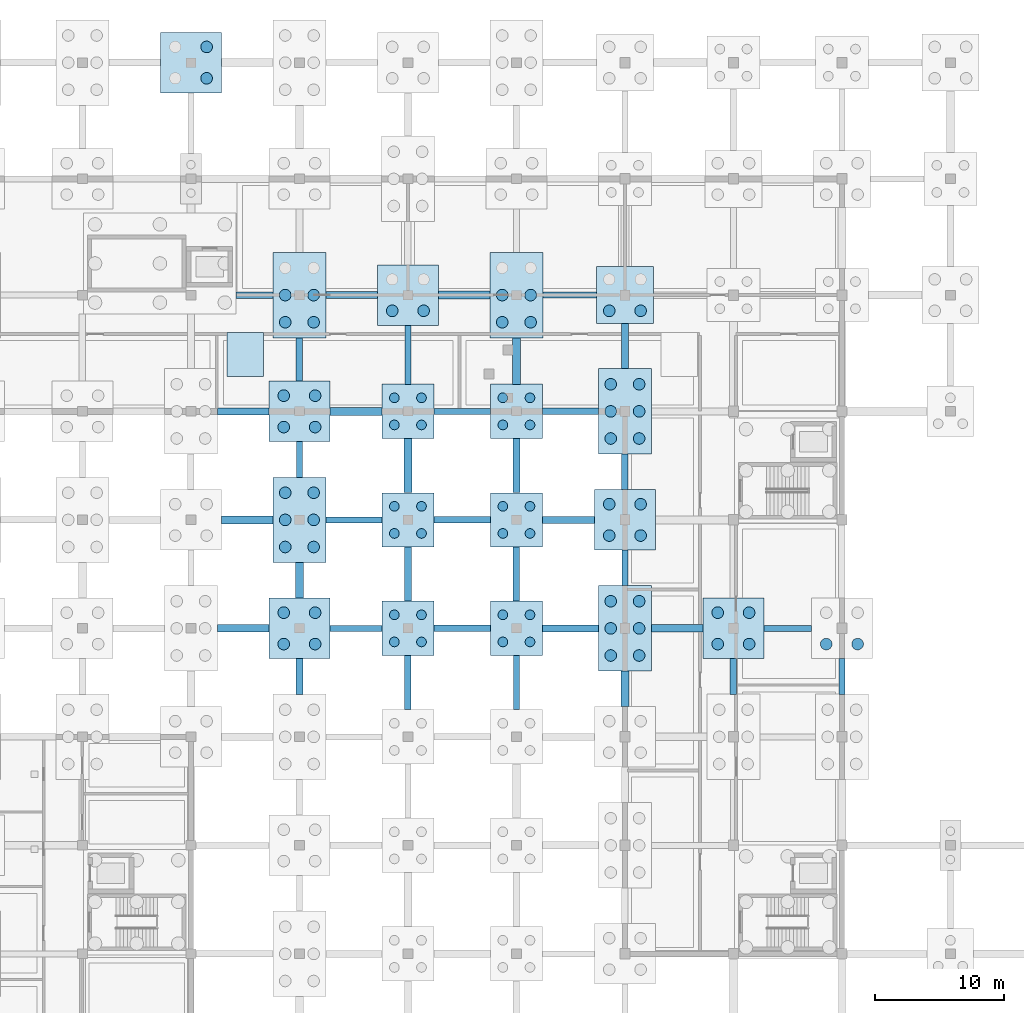
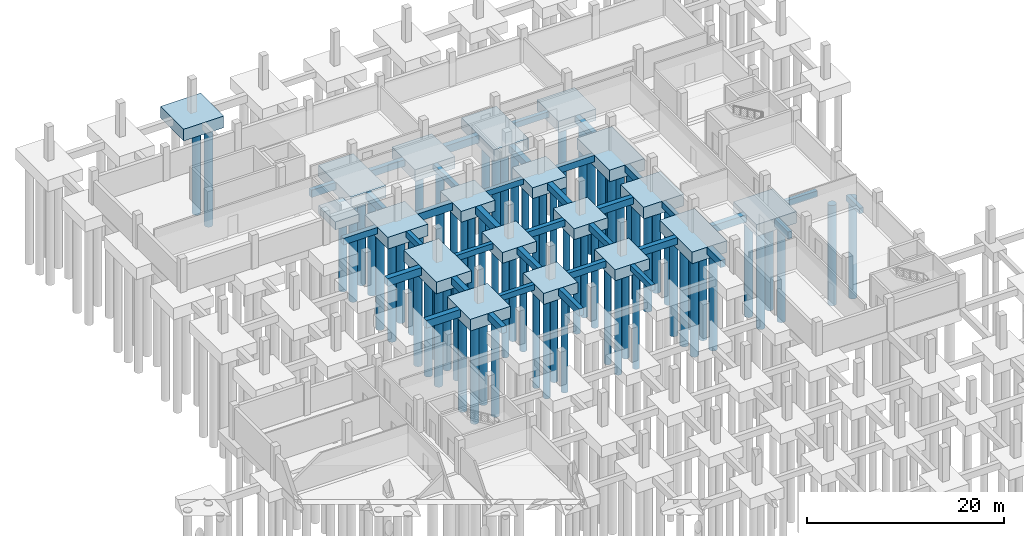
# One storey, part 7 of 20: 74 piles, 55 footings.
"""IFC4 building model written with IfcOpenShell, lengths in metres."""

from ifc_helpers import new_model, si_unit, direction, frame, origin, origin_2d, place, context, subcontext, project, spatial, rectangle, circle, extrude, material, material_profile, profile_set, type_object, element, save


model = new_model("IFC4")

# Units and contexts
model_context = context("Model", 3, precision=1e-05, world=origin(), true_north=direction((0.0, 1.0)))
body_context = subcontext(model_context, "Body", "Model", "MODEL_VIEW")
ifc_project = project(units=[si_unit("LENGTHUNIT", "METRE"), si_unit("AREAUNIT", "SQUARE_METRE"), si_unit("VOLUMEUNIT", "CUBIC_METRE"), si_unit("PLANEANGLEUNIT", "RADIAN"), si_unit("MASSUNIT", "GRAM", prefix="KILO")], contexts=[model_context])

# Site, building, storey
site_placement = place(None, origin())
site = spatial("IfcSite", under=ifc_project, at=site_placement, CompositionType="ELEMENT")
building_placement = place(site_placement, origin())
building = spatial("IfcBuilding", under=site, at=building_placement, Name="Vireocrest Preparatory School", CompositionType="ELEMENT")
storey_placement = place(building_placement, frame((0.0, 0.0, -4.199951171875)))
storey = spatial("IfcBuildingStorey", under=building, at=storey_placement, Name="B01", CompositionType="ELEMENT", Elevation=-4.199951171875)

# Piles
ifc_material = material(Name="Concrete 40 MPa", Category="concrete")
ifc_material_profile_1 = material_profile(ifc_material, circle(Radius=0.375, at=origin_2d()), Name="BORED PILE 750")
ifc_profile_set_1 = profile_set([ifc_material_profile_1], Name="Concrete 40 MPa")
pile_type_1 = type_object("IfcPileType", Name="Bored Concrete Pile 750", PredefinedType="BORED", material=ifc_profile_set_1)
for number, where, z_axis, x_axis, name in (
    (1, (74.550048828125, 67.949951171875, -1.25), (0.0, 0.0, -1.0), (1.0, 0.0, 0.0), "Bored Pile P02 081-1"),
    (2, (76.64990234375, 67.949951171875, -1.25), (0.0, 0.0, -1.0), (1.0, 0.0, 0.0), "Bored Pile P02 081-2"),
    (3, (74.550048828125, 70.050048828125, -1.25), (0.0, 0.0, -1.0), (1.0, 0.0, 0.0), "Bored Pile P02 081-3"),
    (4, (76.64990234375, 70.050048828125, -1.25), (0.0, 0.0, -1.0), (1.0, 0.0, 0.0), "Bored Pile P02 081-4"),
    (5, (74.550048828125, 76.35009765625, -1.25), (0.0, 0.0, -1.0), (1.0, 0.0, 0.0), "Bored Pile P02 082-1"),
    (6, (76.64990234375, 76.35009765625, -1.25), (0.0, 0.0, -1.0), (1.0, 0.0, 0.0), "Bored Pile P02 082-2"),
    (7, (74.550048828125, 78.449951171875, -1.25), (0.0, 0.0, -1.0), (1.0, 0.0, 0.0), "Bored Pile P02 082-3"),
    (8, (76.64990234375, 78.449951171875, -1.25), (0.0, 0.0, -1.0), (1.0, 0.0, 0.0), "Bored Pile P02 082-4"),
    (9, (74.550048828125, 84.75, -1.25), (0.0, 0.0, -1.0), (1.0, 0.0, 0.0), "Bored Pile P02 083-1"),
    (10, (76.64990234375, 84.75, -1.25), (0.0, 0.0, -1.0), (1.0, 0.0, 0.0), "Bored Pile P02 083-2"),
    (11, (74.550048828125, 86.85009765625, -1.25), (0.0, 0.0, -1.0), (1.0, 0.0, 0.0), "Bored Pile P02 083-3"),
    (12, (76.64990234375, 86.85009765625, -1.25), (0.0, 0.0, -1.0), (1.0, 0.0, 0.0), "Bored Pile P02 083-4"),
    (13, (82.949951171875, 67.949951171875, -1.25), (0.0, 0.0, -1.0), (1.0, 0.0, 0.0), "Bored Pile P02 094-1"),
    (14, (85.050048828125, 67.949951171875, -1.25), (0.0, 0.0, -1.0), (1.0, 0.0, 0.0), "Bored Pile P02 094-2"),
    (15, (82.949951171875, 70.050048828125, -1.25), (0.0, 0.0, -1.0), (1.0, 0.0, 0.0), "Bored Pile P02 094-3"),
    (16, (85.050048828125, 70.050048828125, -1.25), (0.0, 0.0, -1.0), (1.0, 0.0, 0.0), "Bored Pile P02 094-4"),
    (17, (82.949951171875, 76.35009765625, -1.25), (0.0, 0.0, -1.0), (1.0, 0.0, 0.0), "Bored Pile P02 095-1"),
    (18, (85.050048828125, 76.35009765625, -1.25), (0.0, 0.0, -1.0), (1.0, 0.0, 0.0), "Bored Pile P02 095-2"),
    (19, (82.949951171875, 78.449951171875, -1.25), (0.0, 0.0, -1.0), (1.0, 0.0, 0.0), "Bored Pile P02 095-3"),
    (20, (85.050048828125, 78.449951171875, -1.25), (0.0, 0.0, -1.0), (1.0, 0.0, 0.0), "Bored Pile P02 095-4"),
    (21, (82.949951171875, 84.75, -1.25), (0.0, 0.0, -1.0), (1.0, 0.0, 0.0), "Bored Pile P02 096-1"),
    (22, (85.050048828125, 84.75, -1.25), (0.0, 0.0, -1.0), (1.0, 0.0, 0.0), "Bored Pile P02 096-2"),
    (23, (82.949951171875, 86.85009765625, -1.25), (0.0, 0.0, -1.0), (1.0, 0.0, 0.0), "Bored Pile P02 096-3"),
    (24, (85.050048828125, 86.85009765625, -1.25), (0.0, 0.0, -1.0), (1.0, 0.0, 0.0), "Bored Pile P02 096-4"),
):
    element("IfcPile", number, at=place(storey_placement, frame(where, z_axis=z_axis, x_axis=x_axis)), inside=storey, type_object=pile_type_1, Name=name, PredefinedType="BORED", context=body_context, shape_type="SweptSolid", body=[
        extrude(circle(Radius=0.375, at=origin_2d()), origin(), (0.0, 0.0, 1.0), 12.550048828125),
    ])
ifc_material_profile_2 = material_profile(ifc_material, circle(Radius=0.449951171875, at=origin_2d()), Name="BORED PILE 900")
ifc_profile_set_2 = profile_set([ifc_material_profile_2], Name="Concrete 40 MPa")
pile_type_2 = type_object("IfcPileType", Name="Bored Concrete Pile 900", PredefinedType="BORED", material=ifc_profile_set_2)
for number, where, z_axis, x_axis, name in (
    (25, (60.014892578125, 111.5849609375, -1.35009765625), (0.0, 0.0, -1.0), (1.0, 0.0, 0.0), "Bored Pile P03 060-2"),
    (26, (60.014892578125, 114.014892578125, -1.35009765625), (0.0, 0.0, -1.0), (1.0, 0.0, 0.0), "Bored Pile P03 060-4"),
    (27, (65.985107421875, 67.784912109375, -1.35009765625), (0.0, 0.0, -1.0), (1.0, 0.0, 0.0), "Bored Pile P03 068-1"),
    (28, (68.4150390625, 67.784912109375, -1.35009765625), (0.0, 0.0, -1.0), (1.0, 0.0, 0.0), "Bored Pile P03 068-2"),
    (29, (65.985107421875, 70.215087890625, -1.35009765625), (0.0, 0.0, -1.0), (1.0, 0.0, 0.0), "Bored Pile P03 068-3"),
    (30, (68.4150390625, 70.215087890625, -1.35009765625), (0.0, 0.0, -1.0), (1.0, 0.0, 0.0), "Bored Pile P03 068-4"),
    (31, (66.10009765625, 75.300048828125, -1.35009765625), (0.0, 0.0, -1.0), (1.0, 0.0, 0.0), "Bored Pile P03 069-1"),
    (32, (68.300048828125, 75.300048828125, -1.35009765625), (0.0, 0.0, -1.0), (1.0, 0.0, 0.0), "Bored Pile P03 069-2"),
    (33, (66.10009765625, 77.39990234375, -1.35009765625), (0.0, 0.0, -1.0), (1.0, 0.0, 0.0), "Bored Pile P03 069-3"),
    (34, (68.300048828125, 77.39990234375, -1.35009765625), (0.0, 0.0, -1.0), (1.0, 0.0, 0.0), "Bored Pile P03 069-4"),
    (35, (66.10009765625, 79.5, -1.35009765625), (0.0, 0.0, -1.0), (1.0, 0.0, 0.0), "Bored Pile P03 069-5"),
    (36, (68.300048828125, 79.5, -1.35009765625), (0.0, 0.0, -1.0), (1.0, 0.0, 0.0), "Bored Pile P03 069-6"),
    (37, (65.985107421875, 84.5849609375, -1.35009765625), (0.0, 0.0, -1.0), (1.0, 0.0, 0.0), "Bored Pile P03 070-1"),
    (38, (68.4150390625, 84.5849609375, -1.35009765625), (0.0, 0.0, -1.0), (1.0, 0.0, 0.0), "Bored Pile P03 070-2"),
    (39, (65.985107421875, 87.014892578125, -1.35009765625), (0.0, 0.0, -1.0), (1.0, 0.0, 0.0), "Bored Pile P03 070-3"),
    (40, (68.4150390625, 87.014892578125, -1.35009765625), (0.0, 0.0, -1.0), (1.0, 0.0, 0.0), "Bored Pile P03 070-4"),
    (41, (66.10009765625, 92.699951171875, -1.35009765625), (0.0, 0.0, -1.0), (1.0, 0.0, 0.0), "Bored Pile P03 071-1"),
    (42, (68.300048828125, 92.699951171875, -1.35009765625), (0.0, 0.0, -1.0), (1.0, 0.0, 0.0), "Bored Pile P03 071-2"),
    (43, (66.10009765625, 94.800048828125, -1.35009765625), (0.0, 0.0, -1.0), (1.0, 0.0, 0.0), "Bored Pile P03 071-3"),
    (44, (68.300048828125, 94.800048828125, -1.35009765625), (0.0, 0.0, -1.0), (1.0, 0.0, 0.0), "Bored Pile P03 071-4"),
    (45, (74.385009765625, 93.5849609375, -1.35009765625), (0.0, 0.0, -1.0), (1.0, 0.0, 0.0), "Bored Pile P03 084-1"),
    (46, (76.81494140625, 93.5849609375, -1.35009765625), (0.0, 0.0, -1.0), (1.0, 0.0, 0.0), "Bored Pile P03 084-2"),
    (47, (82.89990234375, 92.699951171875, -1.35009765625), (0.0, 0.0, -1.0), (1.0, 0.0, 0.0), "Bored Pile P03 097-1"),
    (48, (85.10009765625, 92.699951171875, -1.35009765625), (0.0, 0.0, -1.0), (1.0, 0.0, 0.0), "Bored Pile P03 097-2"),
    (49, (82.89990234375, 94.800048828125, -1.35009765625), (0.0, 0.0, -1.0), (1.0, 0.0, 0.0), "Bored Pile P03 097-3"),
    (50, (85.10009765625, 94.800048828125, -1.35009765625), (0.0, 0.0, -1.0), (1.0, 0.0, 0.0), "Bored Pile P03 097-4"),
    (51, (91.300048828125, 66.89990234375, -1.35009765625), (0.0, 0.0, -1.0), (1.0, 0.0, 0.0), "Bored Pile P03 107-1"),
    (52, (93.5, 66.89990234375, -1.35009765625), (0.0, 0.0, -1.0), (1.0, 0.0, 0.0), "Bored Pile P03 107-2"),
    (53, (91.300048828125, 69.0, -1.35009765625), (0.0, 0.0, -1.0), (1.0, 0.0, 0.0), "Bored Pile P03 107-3"),
    (54, (93.5, 69.0, -1.35009765625), (0.0, 0.0, -1.0), (1.0, 0.0, 0.0), "Bored Pile P03 107-4"),
    (55, (91.300048828125, 71.10009765625, -1.35009765625), (0.0, 0.0, -1.0), (1.0, 0.0, 0.0), "Bored Pile P03 107-5"),
    (56, (93.5, 71.10009765625, -1.35009765625), (0.0, 0.0, -1.0), (1.0, 0.0, 0.0), "Bored Pile P03 107-6"),
    (57, (91.18505859375, 76.18505859375, -1.35009765625), (0.0, 0.0, -1.0), (1.0, 0.0, 0.0), "Bored Pile P03 108-1"),
    (58, (93.614990234375, 76.18505859375, -1.35009765625), (0.0, 0.0, -1.0), (1.0, 0.0, 0.0), "Bored Pile P03 108-2"),
    (59, (91.18505859375, 78.614990234375, -1.35009765625), (0.0, 0.0, -1.0), (1.0, 0.0, 0.0), "Bored Pile P03 108-3"),
    (60, (93.614990234375, 78.614990234375, -1.35009765625), (0.0, 0.0, -1.0), (1.0, 0.0, 0.0), "Bored Pile P03 108-4"),
    (61, (91.300048828125, 83.699951171875, -1.35009765625), (0.0, 0.0, -1.0), (1.0, 0.0, 0.0), "Bored Pile P03 109-1"),
    (62, (93.5, 83.699951171875, -1.35009765625), (0.0, 0.0, -1.0), (1.0, 0.0, 0.0), "Bored Pile P03 109-2"),
    (63, (91.300048828125, 85.800048828125, -1.35009765625), (0.0, 0.0, -1.0), (1.0, 0.0, 0.0), "Bored Pile P03 109-3"),
    (64, (93.5, 85.800048828125, -1.35009765625), (0.0, 0.0, -1.0), (1.0, 0.0, 0.0), "Bored Pile P03 109-4"),
    (65, (91.300048828125, 87.89990234375, -1.35009765625), (0.0, 0.0, -1.0), (1.0, 0.0, 0.0), "Bored Pile P03 109-5"),
    (66, (93.5, 87.89990234375, -1.35009765625), (0.0, 0.0, -1.0), (1.0, 0.0, 0.0), "Bored Pile P03 109-6"),
):
    element("IfcPile", number, at=place(storey_placement, frame(where, z_axis=z_axis, x_axis=x_axis)), inside=storey, type_object=pile_type_2, Name=name, PredefinedType="BORED", context=body_context, shape_type="SweptSolid", body=[
        extrude(circle(Radius=0.449951171875, at=origin_2d()), origin(), (0.0, 0.0, 1.0), 12.449951171875),
    ])
for number, where, z_axis, x_axis, name in (
    (67, (91.18505859375, 93.5849609375, -1.300048828125), (0.0, 0.0, -1.0), (1.0, 0.0, 0.0), "Bored Pile P03 110-1"),
    (68, (93.614990234375, 93.5849609375, -1.300048828125), (0.0, 0.0, -1.0), (1.0, 0.0, 0.0), "Bored Pile P03 110-2"),
):
    element("IfcPile", number, at=place(storey_placement, frame(where, z_axis=z_axis, x_axis=x_axis)), inside=storey, type_object=pile_type_2, Name=name, PredefinedType="BORED", context=body_context, shape_type="SweptSolid", body=[
        extrude(circle(Radius=0.449951171875, at=origin_2d()), origin(), (0.0, 0.0, 1.0), 12.5),
    ])
for number, where, z_axis, x_axis, name in (
    (69, (99.5849609375, 67.784912109375, -1.35009765625), (0.0, 0.0, -1.0), (1.0, 0.0, 0.0), "Bored Pile P03 120-1"),
    (70, (102.014892578125, 67.784912109375, -1.35009765625), (0.0, 0.0, -1.0), (1.0, 0.0, 0.0), "Bored Pile P03 120-2"),
    (71, (99.5849609375, 70.215087890625, -1.35009765625), (0.0, 0.0, -1.0), (1.0, 0.0, 0.0), "Bored Pile P03 120-3"),
    (72, (102.014892578125, 70.215087890625, -1.35009765625), (0.0, 0.0, -1.0), (1.0, 0.0, 0.0), "Bored Pile P03 120-4"),
    (73, (107.985107421875, 67.784912109375, -1.35009765625), (0.0, 0.0, -1.0), (1.0, 0.0, 0.0), "Bored Pile P03 134-1"),
    (74, (110.4150390625, 67.784912109375, -1.35009765625), (0.0, 0.0, -1.0), (1.0, 0.0, 0.0), "Bored Pile P03 134-2"),
):
    element("IfcPile", number, at=place(storey_placement, frame(where, z_axis=z_axis, x_axis=x_axis)), inside=storey, type_object=pile_type_2, Name=name, PredefinedType="BORED", context=body_context, shape_type="SweptSolid", body=[
        extrude(circle(Radius=0.449951171875, at=origin_2d()), origin(), (0.0, 0.0, 1.0), 12.449951171875),
    ])

# Footings
footing_type_1 = type_object("IfcFootingType", Name="Four-Pile Cap 4400x4400x1400", PredefinedType="PILE_CAP", material=ifc_material)
footing_1_placement = place(storey_placement, frame((92.39990234375, 94.800048828125, -1.39990234375), z_axis=(0.0, 0.0, 1.0), x_axis=(1.0, 0.0, 0.0)))
element("IfcFooting", 75, at=footing_1_placement, inside=storey, type_object=footing_type_1, Name="Pile Cap PC07 at (92.4, 94.8)", PredefinedType="PILE_CAP", context=body_context, shape_type="SweptSolid", body=[
    extrude(rectangle(XDim=4.39990234375, YDim=4.39990234375, at=origin_2d()), origin(), (0.0, 0.0, 1.0), 1.39990234375),
])
footing_type_2 = type_object("IfcFootingType", Name="Four-Pile Cap 4700x4700x1450", PredefinedType="PILE_CAP", material=ifc_material)
for number, where, z_axis, x_axis, name in (
    (76, (58.800048828125, 112.800048828125, -1.4501953125), (0.0, 0.0, 1.0), (1.0, 0.0, 0.0), "Pile Cap PC08 at (58.8, 112.8)"),
    (77, (67.199951171875, 69.0, -1.4501953125), (0.0, 0.0, 1.0), (1.0, 0.0, 0.0), "Pile Cap PC08 at (67.2, 69.0)"),
    (78, (67.199951171875, 85.800048828125, -1.4501953125), (0.0, 0.0, 1.0), (1.0, 0.0, 0.0), "Pile Cap PC08 at (67.2, 85.8)"),
    (79, (75.60009765625, 94.800048828125, -1.4501953125), (0.0, 0.0, 1.0), (1.0, 0.0, 0.0), "Pile Cap PC08 at (75.6, 94.8)"),
    (80, (92.39990234375, 77.39990234375, -1.4501953125), (0.0, 0.0, 1.0), (1.0, 0.0, 0.0), "Pile Cap PC08 at (92.4, 77.4)"),
    (81, (100.800048828125, 69.0, -1.4501953125), (0.0, 0.0, 1.0), (1.0, 0.0, 0.0), "Pile Cap PC08 at (100.8, 69.0)"),
):
    element("IfcFooting", number, at=place(storey_placement, frame(where, z_axis=z_axis, x_axis=x_axis)), inside=storey, type_object=footing_type_2, Name=name, PredefinedType="PILE_CAP", context=body_context, shape_type="SweptSolid", body=[
        extrude(rectangle(XDim=4.699951171875, YDim=4.699951171875, at=origin_2d()), origin(), (0.0, 0.0, 1.0), 1.449951171875),
    ])
footing_type_3 = type_object("IfcFootingType", Name="Four-Pile Court V-Trunk Cap 4000x4200x1350", PredefinedType="PILE_CAP", material=ifc_material)
for number, where, z_axis, x_axis, name in (
    (82, (75.60009765625, 69.0, -1.35009765625), (0.0, 0.0, 1.0), (1.0, 0.0, 0.0), "Pile Cap PC09 at (75.6, 69.0)"),
    (83, (75.60009765625, 77.39990234375, -1.35009765625), (0.0, 0.0, 1.0), (1.0, 0.0, 0.0), "Pile Cap PC09 at (75.6, 77.4)"),
    (84, (75.60009765625, 85.800048828125, -1.35009765625), (0.0, 0.0, 1.0), (1.0, 0.0, 0.0), "Pile Cap PC09 at (75.6, 85.8)"),
    (85, (84.0, 69.0, -1.35009765625), (0.0, 0.0, 1.0), (1.0, 0.0, 0.0), "Pile Cap PC09 at (84.0, 69.0)"),
    (86, (84.0, 77.39990234375, -1.35009765625), (0.0, 0.0, 1.0), (1.0, 0.0, 0.0), "Pile Cap PC09 at (84.0, 77.4)"),
    (87, (84.0, 85.800048828125, -1.35009765625), (0.0, 0.0, 1.0), (1.0, 0.0, 0.0), "Pile Cap PC09 at (84.0, 85.8)"),
):
    element("IfcFooting", number, at=place(storey_placement, frame(where, z_axis=z_axis, x_axis=x_axis)), inside=storey, type_object=footing_type_3, Name=name, PredefinedType="PILE_CAP", context=body_context, shape_type="SweptSolid", body=[
        extrude(rectangle(XDim=4.0, YDim=4.199951171875, at=origin_2d()), origin(), (0.0, 0.0, 1.0), 1.35009765625),
    ])
footing_type_4 = type_object("IfcFootingType", Name="Plant Equipment Plinth Footing 2800x3400x1000", PredefinedType="PAD_FOOTING", material=ifc_material)
footing_2_placement = place(storey_placement, frame((63.0, 90.199951171875, -1.0), z_axis=(0.0, 0.0, 1.0), x_axis=(1.0, 0.0, 0.0)))
element("IfcFooting", 88, at=footing_2_placement, inside=storey, type_object=footing_type_4, Name="Pad Footing PF04-07", PredefinedType="PAD_FOOTING", context=body_context, shape_type="SweptSolid", body=[
    extrude(rectangle(XDim=2.800048828125, YDim=3.39990234375, at=origin_2d()), origin(), (0.0, 0.0, 1.0), 1.0),
])
ifc_material_profile_3 = material_profile(ifc_material, rectangle(XDim=0.550048828125, YDim=0.800048828125, at=origin_2d()), Name="GB 550x800")
ifc_profile_set_3 = profile_set([ifc_material_profile_3], Name="Concrete 40 MPa")
footing_type_5 = type_object("IfcFootingType", Name="RC Court Tie Beam 550x800", PredefinedType="FOOTING_BEAM", material=ifc_profile_set_3)
for number, where, z_axis, x_axis, name in (
    (89, (60.85009765625, 85.800048828125, -0.400146484375), (1.0, 0.0, 0.0), (0.0, 1.0, 0.0), "Foundation Grade Beam GB06-110"),
    (90, (69.25, 94.800048828125, -0.400146484375), (1.0, 0.0, 0.0), (0.0, 1.0, 0.0), "Foundation Grade Beam GB06-118"),
):
    element("IfcFooting", number, at=place(storey_placement, frame(where, z_axis=z_axis, x_axis=x_axis)), inside=storey, type_object=footing_type_5, Name=name, PredefinedType="FOOTING_BEAM", context=body_context, shape_type="SweptSolid", body=[
        extrude(rectangle(XDim=0.550048828125, YDim=0.800048828125, at=origin_2d()), origin(), (0.0, 0.0, 1.0), 4.0),
    ])
footing_3_placement = place(storey_placement, frame((75.60009765625, 71.10009765625, -0.400146484375), z_axis=(0.0, 1.0, 0.0), x_axis=(-1.0, 0.0, 0.0)))
element("IfcFooting", 91, at=footing_3_placement, inside=storey, type_object=footing_type_5, Name="Foundation Grade Beam GB06-206", PredefinedType="FOOTING_BEAM", context=body_context, shape_type="SweptSolid", body=[
    extrude(rectangle(XDim=0.550048828125, YDim=0.800048828125, at=origin_2d()), origin(), (0.0, 0.0, 1.0), 4.199951171875),
])
footing_4_placement = place(storey_placement, frame((92.39990234375, 89.10009765625, -0.400146484375), z_axis=(0.0, 1.0, 0.0), x_axis=(-1.0, 0.0, 0.0)))
element("IfcFooting", 92, at=footing_4_placement, inside=storey, type_object=footing_type_5, Name="Foundation Grade Beam GB06-230", PredefinedType="FOOTING_BEAM", context=body_context, shape_type="SweptSolid", body=[
    extrude(rectangle(XDim=0.550048828125, YDim=0.800048828125, at=origin_2d()), origin(), (0.0, 0.0, 1.0), 3.5),
])
ifc_material_profile_4 = material_profile(ifc_material, rectangle(XDim=0.5, YDim=0.800048828125, at=origin_2d()), Name="GB 500x800")
ifc_profile_set_4 = profile_set([ifc_material_profile_4], Name="Concrete 40 MPa")
footing_type_6 = type_object("IfcFootingType", Name="RC Foundation Grade Beam 500x800", PredefinedType="FOOTING_BEAM", material=ifc_profile_set_4)
for number, where, z_axis, x_axis, name in (
    (93, (77.60009765625, 69.0, -0.400146484375), (1.0, 0.0, 0.0), (0.0, 1.0, 0.0), "Foundation Grade Beam GB01-097"),
    (94, (77.60009765625, 77.39990234375, -0.400146484375), (1.0, 0.0, 0.0), (0.0, 1.0, 0.0), "Foundation Grade Beam GB01-105"),
):
    element("IfcFooting", number, at=place(storey_placement, frame(where, z_axis=z_axis, x_axis=x_axis)), inside=storey, type_object=footing_type_6, Name=name, PredefinedType="FOOTING_BEAM", context=body_context, shape_type="SweptSolid", body=[
        extrude(rectangle(XDim=0.5, YDim=0.800048828125, at=origin_2d()), origin(), (0.0, 0.0, 1.0), 4.39990234375),
    ])
footing_5_placement = place(storey_placement, frame((86.0, 85.800048828125, -0.400146484375), z_axis=(1.0, 0.0, 0.0), x_axis=(0.0, 1.0, 0.0)))
element("IfcFooting", 95, at=footing_5_placement, inside=storey, type_object=footing_type_6, Name="Foundation Grade Beam GB01-113", PredefinedType="FOOTING_BEAM", context=body_context, shape_type="SweptSolid", body=[
    extrude(rectangle(XDim=0.5, YDim=0.800048828125, at=origin_2d()), origin(), (0.0, 0.0, 1.0), 4.35009765625),
])
footing_6_placement = place(storey_placement, frame((84.0, 71.10009765625, -0.400146484375), z_axis=(0.0, 1.0, 0.0), x_axis=(-1.0, 0.0, 0.0)))
element("IfcFooting", 96, at=footing_6_placement, inside=storey, type_object=footing_type_6, Name="Foundation Grade Beam GB01-217", PredefinedType="FOOTING_BEAM", context=body_context, shape_type="SweptSolid", body=[
    extrude(rectangle(XDim=0.5, YDim=0.800048828125, at=origin_2d()), origin(), (0.0, 0.0, 1.0), 4.199951171875),
])
ifc_material_profile_5 = material_profile(ifc_material, rectangle(XDim=0.550048828125, YDim=0.85009765625, at=origin_2d()), Name="GB 550x850")
ifc_profile_set_5 = profile_set([ifc_material_profile_5], Name="Concrete 40 MPa")
footing_type_7 = type_object("IfcFootingType", Name="RC Foundation Grade Beam 550x850", PredefinedType="FOOTING_BEAM", material=ifc_profile_set_5)
footing_7_placement = place(storey_placement, frame((86.0, 69.0, -0.425048828125), z_axis=(1.0, 0.0, 0.0), x_axis=(0.0, 1.0, 0.0)))
element("IfcFooting", 97, at=footing_7_placement, inside=storey, type_object=footing_type_7, Name="Foundation Grade Beam GB02-098", PredefinedType="FOOTING_BEAM", context=body_context, shape_type="SweptSolid", body=[
    extrude(rectangle(XDim=0.550048828125, YDim=0.85009765625, at=origin_2d()), origin(), (0.0, 0.0, 1.0), 4.35009765625),
])
footing_8_placement = place(storey_placement, frame((86.0, 77.39990234375, -0.425048828125), z_axis=(1.0, 0.0, 0.0), x_axis=(0.0, 1.0, 0.0)))
element("IfcFooting", 98, at=footing_8_placement, inside=storey, type_object=footing_type_7, Name="Foundation Grade Beam GB02-106", PredefinedType="FOOTING_BEAM", context=body_context, shape_type="SweptSolid", body=[
    extrude(rectangle(XDim=0.550048828125, YDim=0.85009765625, at=origin_2d()), origin(), (0.0, 0.0, 1.0), 4.050048828125),
])
footing_9_placement = place(storey_placement, frame((67.199951171875, 63.89990234375, -0.425048828125), z_axis=(0.0, 1.0, 0.0), x_axis=(-1.0, 0.0, 0.0)))
element("IfcFooting", 99, at=footing_9_placement, inside=storey, type_object=footing_type_7, Name="Foundation Grade Beam GB02-194", PredefinedType="FOOTING_BEAM", context=body_context, shape_type="SweptSolid", body=[
    extrude(rectangle(XDim=0.550048828125, YDim=0.85009765625, at=origin_2d()), origin(), (0.0, 0.0, 1.0), 2.75),
])
footing_10_placement = place(storey_placement, frame((84.0, 79.5, -0.425048828125), z_axis=(0.0, 1.0, 0.0), x_axis=(-1.0, 0.0, 0.0)))
element("IfcFooting", 100, at=footing_10_placement, inside=storey, type_object=footing_type_7, Name="Foundation Grade Beam GB02-218", PredefinedType="FOOTING_BEAM", context=body_context, shape_type="SweptSolid", body=[
    extrude(rectangle(XDim=0.550048828125, YDim=0.85009765625, at=origin_2d()), origin(), (0.0, 0.0, 1.0), 4.199951171875),
])
ifc_material_profile_6 = material_profile(ifc_material, rectangle(XDim=0.60009765625, YDim=0.89990234375, at=origin_2d()), Name="GB 600x900")
ifc_profile_set_6 = profile_set([ifc_material_profile_6], Name="Concrete 40 MPa")
footing_type_8 = type_object("IfcFootingType", Name="RC Foundation Grade Beam 600x900", PredefinedType="FOOTING_BEAM", material=ifc_profile_set_6)
footing_11_placement = place(storey_placement, frame((94.449951171875, 69.0, -0.449951171875), z_axis=(1.0, 0.0, 0.0), x_axis=(0.0, 1.0, 0.0)))
element("IfcFooting", 101, at=footing_11_placement, inside=storey, type_object=footing_type_8, Name="Foundation Grade Beam GB03-099", PredefinedType="FOOTING_BEAM", context=body_context, shape_type="SweptSolid", body=[
    extrude(rectangle(XDim=0.60009765625, YDim=0.89990234375, at=origin_2d()), origin(), (0.0, 0.0, 1.0), 4.0),
])
footing_12_placement = place(storey_placement, frame((67.199951171875, 71.35009765625, -0.449951171875), z_axis=(0.0, 1.0, 0.0), x_axis=(-1.0, 0.0, 0.0)))
element("IfcFooting", 102, at=footing_12_placement, inside=storey, type_object=footing_type_8, Name="Foundation Grade Beam GB03-195", PredefinedType="FOOTING_BEAM", context=body_context, shape_type="SweptSolid", body=[
    extrude(rectangle(XDim=0.60009765625, YDim=0.89990234375, at=origin_2d()), origin(), (0.0, 0.0, 1.0), 2.75),
])
footing_13_placement = place(storey_placement, frame((84.0, 87.89990234375, -0.449951171875), z_axis=(0.0, 1.0, 0.0), x_axis=(-1.0, 0.0, 0.0)))
element("IfcFooting", 103, at=footing_13_placement, inside=storey, type_object=footing_type_8, Name="Foundation Grade Beam GB03-219", PredefinedType="FOOTING_BEAM", context=body_context, shape_type="SweptSolid", body=[
    extrude(rectangle(XDim=0.60009765625, YDim=0.89990234375, at=origin_2d()), origin(), (0.0, 0.0, 1.0), 3.60009765625),
])
footing_14_placement = place(storey_placement, frame((92.39990234375, 62.949951171875, -0.449951171875), z_axis=(0.0, 1.0, 0.0), x_axis=(-1.0, 0.0, 0.0)))
element("IfcFooting", 104, at=footing_14_placement, inside=storey, type_object=footing_type_8, Name="Foundation Grade Beam GB03-227", PredefinedType="FOOTING_BEAM", context=body_context, shape_type="SweptSolid", body=[
    extrude(rectangle(XDim=0.60009765625, YDim=0.89990234375, at=origin_2d()), origin(), (0.0, 0.0, 1.0), 2.75),
])
ifc_material_profile_7 = material_profile(ifc_material, rectangle(XDim=0.449951171875, YDim=0.75, at=origin_2d()), Name="GB 450x750")
ifc_profile_set_7 = profile_set([ifc_material_profile_7], Name="Concrete 40 MPa")
footing_type_9 = type_object("IfcFootingType", Name="RC Foundation Tie Beam 450x750", PredefinedType="FOOTING_BEAM", material=ifc_profile_set_7)
footing_15_placement = place(storey_placement, frame((103.14990234375, 69.0, -0.375), z_axis=(1.0, 0.0, 0.0), x_axis=(0.0, 1.0, 0.0)))
element("IfcFooting", 105, at=footing_15_placement, inside=storey, type_object=footing_type_9, Name="Foundation Grade Beam GB04-100", PredefinedType="FOOTING_BEAM", context=body_context, shape_type="SweptSolid", body=[
    extrude(rectangle(XDim=0.449951171875, YDim=0.75, at=origin_2d()), origin(), (0.0, 0.0, 1.0), 3.7001953125),
])
for number, where, z_axis, x_axis, name in (
    (106, (67.199951171875, 80.699951171875, -0.375), (0.0, 1.0, 0.0), (-1.0, 0.0, 0.0), "Foundation Grade Beam GB04-196"),
    (107, (92.39990234375, 72.300048828125, -0.375), (0.0, 1.0, 0.0), (-1.0, 0.0, 0.0), "Foundation Grade Beam GB04-228"),
):
    element("IfcFooting", number, at=place(storey_placement, frame(where, z_axis=z_axis, x_axis=x_axis)), inside=storey, type_object=footing_type_9, Name=name, PredefinedType="FOOTING_BEAM", context=body_context, shape_type="SweptSolid", body=[
        extrude(rectangle(XDim=0.449951171875, YDim=0.75, at=origin_2d()), origin(), (0.0, 0.0, 1.0), 2.75),
    ])
ifc_material_profile_8 = material_profile(ifc_material, rectangle(XDim=0.449951171875, YDim=0.699951171875, at=origin_2d()), Name="GB 450x700")
ifc_profile_set_8 = profile_set([ifc_material_profile_8], Name="Concrete 40 MPa")
footing_type_10 = type_object("IfcFootingType", Name="RC Pavilion Tie Beam 450x700", PredefinedType="FOOTING_BEAM", material=ifc_profile_set_8)
footing_16_placement = place(storey_placement, frame((69.550048828125, 69.0, -0.35009765625), z_axis=(1.0, 0.0, 0.0), x_axis=(0.0, 1.0, 0.0)))
element("IfcFooting", 108, at=footing_16_placement, inside=storey, type_object=footing_type_10, Name="Foundation Grade Beam GB08-096", PredefinedType="FOOTING_BEAM", context=body_context, shape_type="SweptSolid", body=[
    extrude(rectangle(XDim=0.449951171875, YDim=0.699951171875, at=origin_2d()), origin(), (0.0, 0.0, 1.0), 4.050048828125),
])
footing_17_placement = place(storey_placement, frame((69.25, 77.39990234375, -0.35009765625), z_axis=(1.0, 0.0, 0.0), x_axis=(0.0, 1.0, 0.0)))
element("IfcFooting", 109, at=footing_17_placement, inside=storey, type_object=footing_type_10, Name="Foundation Grade Beam GB08-104", PredefinedType="FOOTING_BEAM", context=body_context, shape_type="SweptSolid", body=[
    extrude(rectangle(XDim=0.449951171875, YDim=0.699951171875, at=origin_2d()), origin(), (0.0, 0.0, 1.0), 4.35009765625),
])
footing_18_placement = place(storey_placement, frame((77.60009765625, 85.800048828125, -0.35009765625), z_axis=(1.0, 0.0, 0.0), x_axis=(0.0, 1.0, 0.0)))
element("IfcFooting", 110, at=footing_18_placement, inside=storey, type_object=footing_type_10, Name="Foundation Grade Beam GB08-112", PredefinedType="FOOTING_BEAM", context=body_context, shape_type="SweptSolid", body=[
    extrude(rectangle(XDim=0.449951171875, YDim=0.699951171875, at=origin_2d()), origin(), (0.0, 0.0, 1.0), 4.39990234375),
])
footing_19_placement = place(storey_placement, frame((86.050048828125, 94.800048828125, -0.35009765625), z_axis=(1.0, 0.0, 0.0), x_axis=(0.0, 1.0, 0.0)))
element("IfcFooting", 111, at=footing_19_placement, inside=storey, type_object=footing_type_10, Name="Foundation Grade Beam GB08-120", PredefinedType="FOOTING_BEAM", context=body_context, shape_type="SweptSolid", body=[
    extrude(rectangle(XDim=0.449951171875, YDim=0.699951171875, at=origin_2d()), origin(), (0.0, 0.0, 1.0), 4.14990234375),
])
footing_20_placement = place(storey_placement, frame((75.60009765625, 87.89990234375, -0.35009765625), z_axis=(0.0, 1.0, 0.0), x_axis=(-1.0, 0.0, 0.0)))
element("IfcFooting", 112, at=footing_20_placement, inside=storey, type_object=footing_type_10, Name="Foundation Grade Beam GB08-208", PredefinedType="FOOTING_BEAM", context=body_context, shape_type="SweptSolid", body=[
    extrude(rectangle(XDim=0.449951171875, YDim=0.699951171875, at=origin_2d()), origin(), (0.0, 0.0, 1.0), 4.550048828125),
])
footing_21_placement = place(storey_placement, frame((84.0, 62.699951171875, -0.35009765625), z_axis=(0.0, 1.0, 0.0), x_axis=(-1.0, 0.0, 0.0)))
element("IfcFooting", 113, at=footing_21_placement, inside=storey, type_object=footing_type_10, Name="Foundation Grade Beam GB08-216", PredefinedType="FOOTING_BEAM", context=body_context, shape_type="SweptSolid", body=[
    extrude(rectangle(XDim=0.449951171875, YDim=0.699951171875, at=origin_2d()), origin(), (0.0, 0.0, 1.0), 4.199951171875),
])
footing_22_placement = place(storey_placement, frame((109.199951171875, 63.89990234375, -0.35009765625), z_axis=(0.0, 1.0, 0.0), x_axis=(-1.0, 0.0, 0.0)))
element("IfcFooting", 114, at=footing_22_placement, inside=storey, type_object=footing_type_10, Name="Foundation Grade Beam GB08-248", PredefinedType="FOOTING_BEAM", context=body_context, shape_type="SweptSolid", body=[
    extrude(rectangle(XDim=0.449951171875, YDim=0.699951171875, at=origin_2d()), origin(), (0.0, 0.0, 1.0), 2.75),
])
ifc_material_profile_9 = material_profile(ifc_material, rectangle(XDim=0.5, YDim=0.89990234375, at=origin_2d()), Name="GB 500x900")
ifc_profile_set_9 = profile_set([ifc_material_profile_9], Name="Concrete 40 MPa")
footing_type_11 = type_object("IfcFootingType", Name="RC Perimeter Grade Beam 500x900", PredefinedType="FOOTING_BEAM", material=ifc_profile_set_9)
footing_23_placement = place(storey_placement, frame((62.300048828125, 94.800048828125, -0.449951171875), z_axis=(1.0, 0.0, 0.0), x_axis=(0.0, 1.0, 0.0)))
element("IfcFooting", 115, at=footing_23_placement, inside=storey, type_object=footing_type_11, Name="Foundation Grade Beam GB05-117", PredefinedType="FOOTING_BEAM", context=body_context, shape_type="SweptSolid", body=[
    extrude(rectangle(XDim=0.5, YDim=0.89990234375, at=origin_2d()), origin(), (0.0, 0.0, 1.0), 2.849853515625),
])
footing_24_placement = place(storey_placement, frame((67.199951171875, 88.14990234375, -0.449951171875), z_axis=(0.0, 1.0, 0.0), x_axis=(-1.0, 0.0, 0.0)))
element("IfcFooting", 116, at=footing_24_placement, inside=storey, type_object=footing_type_11, Name="Foundation Grade Beam GB05-197", PredefinedType="FOOTING_BEAM", context=body_context, shape_type="SweptSolid", body=[
    extrude(rectangle(XDim=0.5, YDim=0.89990234375, at=origin_2d()), origin(), (0.0, 0.0, 1.0), 3.35009765625),
])
footing_25_placement = place(storey_placement, frame((75.60009765625, 62.699951171875, -0.449951171875), z_axis=(0.0, 1.0, 0.0), x_axis=(-1.0, 0.0, 0.0)))
element("IfcFooting", 117, at=footing_25_placement, inside=storey, type_object=footing_type_11, Name="Foundation Grade Beam GB05-205", PredefinedType="FOOTING_BEAM", context=body_context, shape_type="SweptSolid", body=[
    extrude(rectangle(XDim=0.5, YDim=0.89990234375, at=origin_2d()), origin(), (0.0, 0.0, 1.0), 4.199951171875),
])
for number, where, z_axis, x_axis, name in (
    (118, (92.39990234375, 79.75, -0.449951171875), (0.0, 1.0, 0.0), (-1.0, 0.0, 0.0), "Foundation Grade Beam GB05-229"),
    (119, (100.800048828125, 63.89990234375, -0.449951171875), (0.0, 1.0, 0.0), (-1.0, 0.0, 0.0), "Foundation Grade Beam GB05-237"),
):
    element("IfcFooting", number, at=place(storey_placement, frame(where, z_axis=z_axis, x_axis=x_axis)), inside=storey, type_object=footing_type_11, Name=name, PredefinedType="FOOTING_BEAM", context=body_context, shape_type="SweptSolid", body=[
        extrude(rectangle(XDim=0.5, YDim=0.89990234375, at=origin_2d()), origin(), (0.0, 0.0, 1.0), 2.75),
    ])
ifc_material_profile_10 = material_profile(ifc_material, rectangle(XDim=0.60009765625, YDim=0.949951171875, at=origin_2d()), Name="GB 600x950")
ifc_profile_set_10 = profile_set([ifc_material_profile_10], Name="Concrete 40 MPa")
footing_type_12 = type_object("IfcFootingType", Name="RC Vault Tie Grade Beam 600x950", PredefinedType="FOOTING_BEAM", material=ifc_profile_set_10)
for number, where, z_axis, x_axis, name in (
    (120, (60.85009765625, 69.0, -0.47509765625), (1.0, 0.0, 0.0), (0.0, 1.0, 0.0), "Foundation Grade Beam GB07-095"),
    (121, (61.14990234375, 77.39990234375, -0.47509765625), (1.0, 0.0, 0.0), (0.0, 1.0, 0.0), "Foundation Grade Beam GB07-103"),
):
    element("IfcFooting", number, at=place(storey_placement, frame(where, z_axis=z_axis, x_axis=x_axis)), inside=storey, type_object=footing_type_12, Name=name, PredefinedType="FOOTING_BEAM", context=body_context, shape_type="SweptSolid", body=[
        extrude(rectangle(XDim=0.60009765625, YDim=0.949951171875, at=origin_2d()), origin(), (0.0, 0.0, 1.0), 4.0),
    ])
footing_26_placement = place(storey_placement, frame((69.550048828125, 85.800048828125, -0.47509765625), z_axis=(1.0, 0.0, 0.0), x_axis=(0.0, 1.0, 0.0)))
element("IfcFooting", 122, at=footing_26_placement, inside=storey, type_object=footing_type_12, Name="Foundation Grade Beam GB07-111", PredefinedType="FOOTING_BEAM", context=body_context, shape_type="SweptSolid", body=[
    extrude(rectangle(XDim=0.60009765625, YDim=0.949951171875, at=origin_2d()), origin(), (0.0, 0.0, 1.0), 4.050048828125),
])
footing_27_placement = place(storey_placement, frame((77.949951171875, 94.800048828125, -0.47509765625), z_axis=(1.0, 0.0, 0.0), x_axis=(0.0, 1.0, 0.0)))
element("IfcFooting", 123, at=footing_27_placement, inside=storey, type_object=footing_type_12, Name="Foundation Grade Beam GB07-119", PredefinedType="FOOTING_BEAM", context=body_context, shape_type="SweptSolid", body=[
    extrude(rectangle(XDim=0.60009765625, YDim=0.949951171875, at=origin_2d()), origin(), (0.0, 0.0, 1.0), 4.0),
])
footing_28_placement = place(storey_placement, frame((75.60009765625, 79.5, -0.47509765625), z_axis=(0.0, 1.0, 0.0), x_axis=(-1.0, 0.0, 0.0)))
element("IfcFooting", 124, at=footing_28_placement, inside=storey, type_object=footing_type_12, Name="Foundation Grade Beam GB07-207", PredefinedType="FOOTING_BEAM", context=body_context, shape_type="SweptSolid", body=[
    extrude(rectangle(XDim=0.60009765625, YDim=0.949951171875, at=origin_2d()), origin(), (0.0, 0.0, 1.0), 4.199951171875),
])
footing_type_13 = type_object("IfcFootingType", Name="Six-Pile Rectangular Cap 4100x6600x1450", PredefinedType="PILE_CAP", material=ifc_material)
for number, where, z_axis, x_axis, name in (
    (125, (67.199951171875, 77.39990234375, -1.4501953125), (0.0, 0.0, 1.0), (1.0, 0.0, 0.0), "Pile Cap PC11 at (67.2, 77.4)"),
    (126, (67.199951171875, 94.800048828125, -1.4501953125), (0.0, 0.0, 1.0), (1.0, 0.0, 0.0), "Pile Cap PC11 at (67.2, 94.8)"),
    (127, (84.0, 94.800048828125, -1.4501953125), (0.0, 0.0, 1.0), (1.0, 0.0, 0.0), "Pile Cap PC11 at (84.0, 94.8)"),
    (128, (92.39990234375, 69.0, -1.4501953125), (0.0, 0.0, 1.0), (1.0, 0.0, 0.0), "Pile Cap PC11 at (92.4, 69.0)"),
    (129, (92.39990234375, 85.800048828125, -1.4501953125), (0.0, 0.0, 1.0), (1.0, 0.0, 0.0), "Pile Cap PC11 at (92.4, 85.8)"),
):
    element("IfcFooting", number, at=place(storey_placement, frame(where, z_axis=z_axis, x_axis=x_axis)), inside=storey, type_object=footing_type_13, Name=name, PredefinedType="PILE_CAP", context=body_context, shape_type="SweptSolid", body=[
        extrude(rectangle(XDim=4.10009765625, YDim=6.60009765625, at=origin_2d()), origin(), (0.0, 0.0, 1.0), 1.449951171875),
    ])

save(model, "model.ifc")
